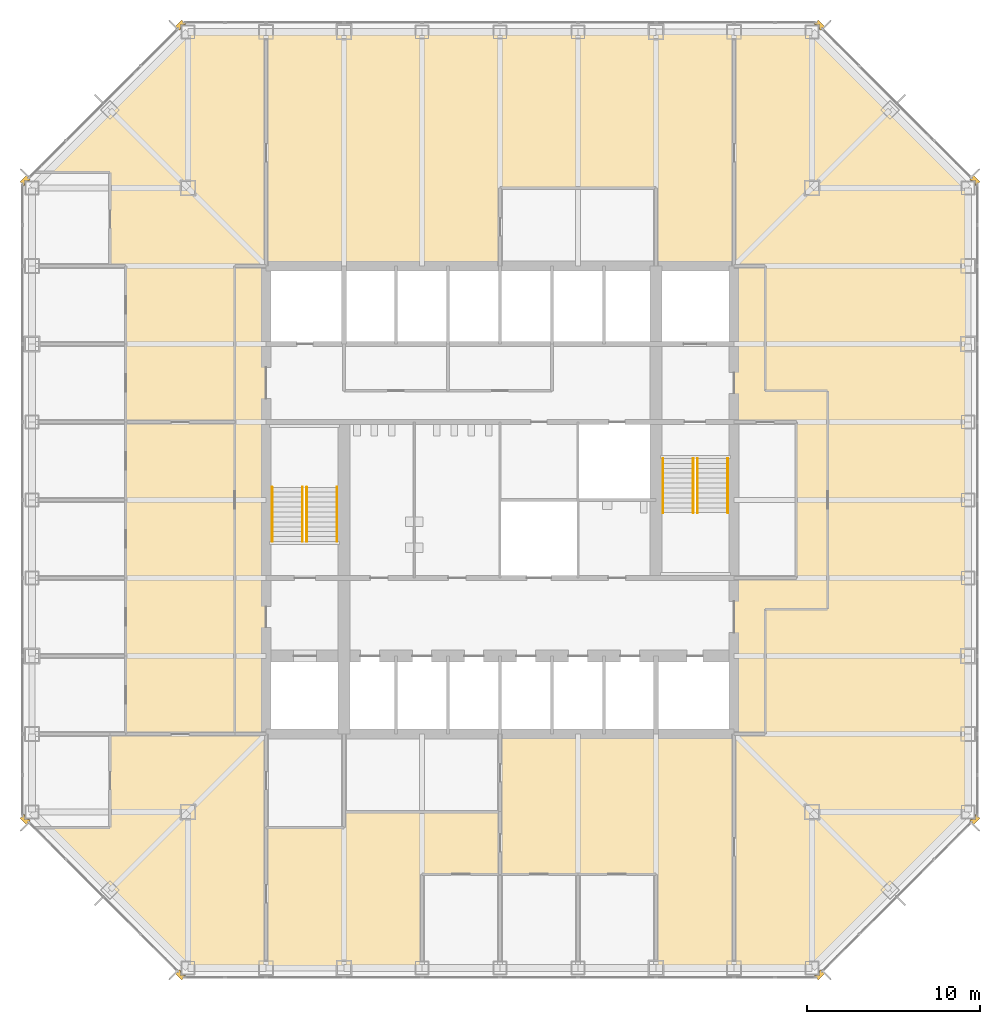
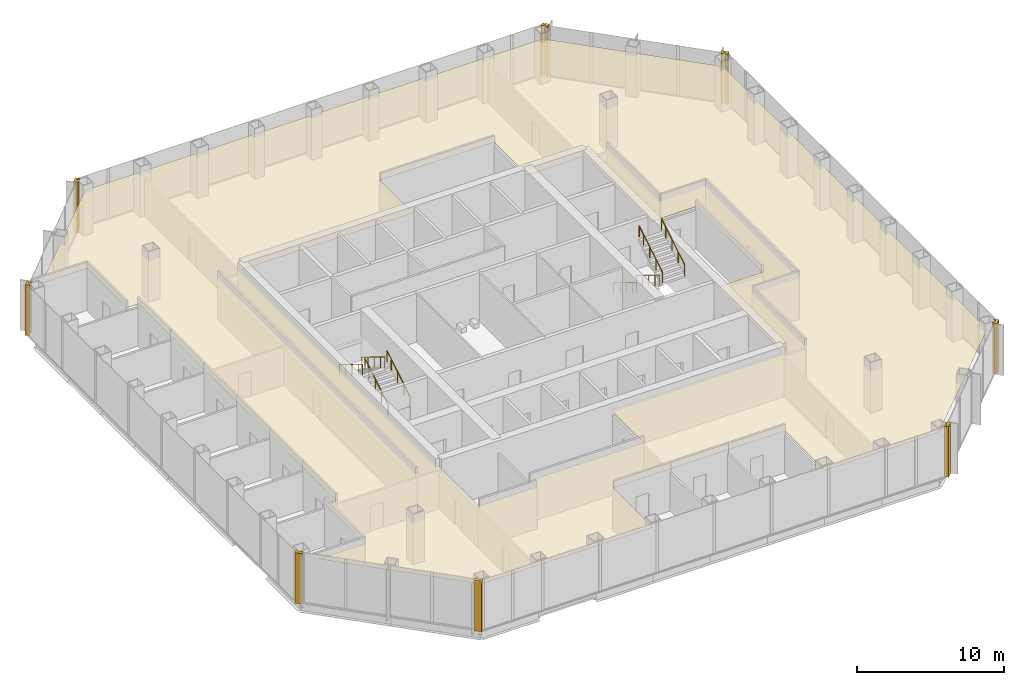
# One storey, part 12 of 13: 9 coverings, 8 railings.
"""IFC4 building model written with IfcOpenShell, lengths in metres."""

from ifc_helpers import new_model, si_unit, direction, frame, origin, origin_2d, place, context, subcontext, project, spatial, polyline, circle, outline, extrude, material, layer, layer_set, type_object, element, save


model = new_model("IFC4")

# Units and contexts
model_context = context("Model", 3, precision=1e-05, world=origin(), true_north=direction((0.0, 1.0)))
body_context = subcontext(model_context, "Body", "Model", "MODEL_VIEW")
ifc_project = project(units=[si_unit("LENGTHUNIT", "METRE"), si_unit("AREAUNIT", "SQUARE_METRE"), si_unit("VOLUMEUNIT", "CUBIC_METRE"), si_unit("PLANEANGLEUNIT", "RADIAN"), si_unit("MASSUNIT", "GRAM", prefix="KILO")], contexts=[model_context])

# Site, building, storey
site_placement = place(None, origin())
site = spatial("IfcSite", under=ifc_project, at=site_placement, CompositionType="ELEMENT")
building_placement = place(site_placement, origin())
building = spatial("IfcBuilding", under=site, at=building_placement, Name="Corais Broadcast Tower", CompositionType="ELEMENT")
storey_placement = place(building_placement, frame((0.0, 0.0, 87.800048828125)))
storey = spatial("IfcBuildingStorey", under=building, at=storey_placement, Name="L19", CompositionType="ELEMENT", Elevation=87.800048828125)

# Railings
ifc_material_1 = material(Name="Stainless steel handrail", Category="steel")
railing_type = type_object("IfcRailingType", Name="Handrail 920", PredefinedType="HANDRAIL", material=ifc_material_1)
for number, where, name in (
    (1, (17.60009765625, 24.60009765625, 0.175048828125), "HR1 L19"),
    (2, (15.85009765625, 24.60009765625, 0.175048828125), "HR1 L19"),
):
    element("IfcRailing", number, at=place(storey_placement, frame(where)), inside=storey, type_object=railing_type, Name=name, PredefinedType="HANDRAIL", context=body_context, shape_type="SweptSolid", body=[
        extrude(circle(Radius=0.02392578125, at=origin_2d()), frame((0.0, 0.0, 0.89599609375), z_axis=(0.0, 0.852195625947, 0.523223293744), x_axis=(-1.0, 0.0, 0.0)), (0.0, 0.0, 1.0), 3.6787109375),
        extrude(circle(Radius=0.02099609375, at=origin_2d()), origin(), (0.0, 0.0, 1.0), 0.871826171875),
        extrude(circle(Radius=0.02099609375, at=origin_2d()), frame((0.0, 0.85498046875, 0.52490234375)), (0.0, 0.0, 1.0), 0.871826171875),
        extrude(circle(Radius=0.02099609375, at=origin_2d()), frame((0.0, 1.7099609375, 1.0498046875)), (0.0, 0.0, 1.0), 0.871826171875),
        extrude(circle(Radius=0.02099609375, at=origin_2d()), frame((0.0, 2.56494140625, 1.574951171875)), (0.0, 0.0, 1.0), 0.871826171875),
        extrude(circle(Radius=0.02099609375, at=origin_2d()), frame((0.0, 3.135009765625, 1.9248046875)), (0.0, 0.0, 1.0), 0.871826171875),
    ])
for number, where, name in (
    (3, (13.85009765625, 27.735107421875, 2.27490234375), "HR1 L19"),
    (4, (15.60009765625, 27.735107421875, 2.27490234375), "HR1 L19"),
):
    element("IfcRailing", number, at=place(storey_placement, frame(where)), inside=storey, type_object=railing_type, Name=name, PredefinedType="HANDRAIL", context=body_context, shape_type="SweptSolid", body=[
        extrude(circle(Radius=0.02392578125, at=origin_2d()), frame((0.0, 0.0, 0.89599609375), z_axis=(0.0, -0.852166034122, 0.523271488128), x_axis=(1.0, 0.0, 0.0)), (0.0, 0.0, 1.0), 3.678955078125),
        extrude(circle(Radius=0.02099609375, at=origin_2d()), origin(), (0.0, 0.0, 1.0), 0.871826171875),
        extrude(circle(Radius=0.02099609375, at=origin_2d()), frame((0.0, -0.85498046875, 0.52490234375)), (0.0, 0.0, 1.0), 0.871826171875),
        extrude(circle(Radius=0.02099609375, at=origin_2d()), frame((0.0, -1.7099609375, 1.050048828125)), (0.0, 0.0, 1.0), 0.871826171875),
        extrude(circle(Radius=0.02099609375, at=origin_2d()), frame((0.0, -2.56494140625, 1.574951171875)), (0.0, 0.0, 1.0), 0.871826171875),
        extrude(circle(Radius=0.02099609375, at=origin_2d()), frame((0.0, -3.135009765625, 1.925048828125)), (0.0, 0.0, 1.0), 0.871826171875),
    ])
for number, where, name in (
    (5, (36.39990234375, 29.39990234375, 0.175048828125), "HR1 L19"),
    (6, (38.14990234375, 29.39990234375, 0.175048828125), "HR1 L19"),
):
    element("IfcRailing", number, at=place(storey_placement, frame(where)), inside=storey, type_object=railing_type, Name=name, PredefinedType="HANDRAIL", context=body_context, shape_type="SweptSolid", body=[
        extrude(circle(Radius=0.02392578125, at=origin_2d()), frame((0.0, 0.0, 0.89599609375), z_axis=(0.0, -0.852195625947, 0.523223293744), x_axis=(1.0, 0.0, 0.0)), (0.0, 0.0, 1.0), 3.6787109375),
        extrude(circle(Radius=0.02099609375, at=origin_2d()), origin(), (0.0, 0.0, 1.0), 0.871826171875),
        extrude(circle(Radius=0.02099609375, at=origin_2d()), frame((0.0, -0.85498046875, 0.52490234375)), (0.0, 0.0, 1.0), 0.871826171875),
        extrude(circle(Radius=0.02099609375, at=origin_2d()), frame((0.0, -1.7099609375, 1.0498046875)), (0.0, 0.0, 1.0), 0.871826171875),
        extrude(circle(Radius=0.02099609375, at=origin_2d()), frame((0.0, -2.56494140625, 1.574951171875)), (0.0, 0.0, 1.0), 0.871826171875),
        extrude(circle(Radius=0.02099609375, at=origin_2d()), frame((0.0, -3.135009765625, 1.9248046875)), (0.0, 0.0, 1.0), 0.871826171875),
    ])
for number, where, name in (
    (7, (40.14990234375, 26.264892578125, 2.27490234375), "HR1 L19"),
    (8, (38.39990234375, 26.264892578125, 2.27490234375), "HR1 L19"),
):
    element("IfcRailing", number, at=place(storey_placement, frame(where)), inside=storey, type_object=railing_type, Name=name, PredefinedType="HANDRAIL", context=body_context, shape_type="SweptSolid", body=[
        extrude(circle(Radius=0.02392578125, at=origin_2d()), frame((0.0, 0.0, 0.89599609375), z_axis=(0.0, 0.852166034122, 0.523271488128), x_axis=(-1.0, 0.0, 0.0)), (0.0, 0.0, 1.0), 3.678955078125),
        extrude(circle(Radius=0.02099609375, at=origin_2d()), origin(), (0.0, 0.0, 1.0), 0.871826171875),
        extrude(circle(Radius=0.02099609375, at=origin_2d()), frame((0.0, 0.85498046875, 0.52490234375)), (0.0, 0.0, 1.0), 0.871826171875),
        extrude(circle(Radius=0.02099609375, at=origin_2d()), frame((0.0, 1.7099609375, 1.050048828125)), (0.0, 0.0, 1.0), 0.871826171875),
        extrude(circle(Radius=0.02099609375, at=origin_2d()), frame((0.0, 2.56494140625, 1.574951171875)), (0.0, 0.0, 1.0), 0.871826171875),
        extrude(circle(Radius=0.02099609375, at=origin_2d()), frame((0.0, 3.135009765625, 1.925048828125)), (0.0, 0.0, 1.0), 0.871826171875),
    ])

# Coverings
ifc_material_2 = material(Name="Granite stone cladding", Category="masonry")
ifc_layer_1 = layer(ifc_material_2, 0.324951171875)
ifc_layer_set_1 = layer_set([ifc_layer_1], Name="Granite stone cladding")
covering_type_1 = type_object("IfcCoveringType", Name="Stone corner pier cladding 500x325", PredefinedType="CLADDING", material=ifc_layer_set_1)
covering_1_placement = place(storey_placement, origin())
element("IfcCovering", 9, at=covering_1_placement, inside=storey, type_object=covering_type_1, Name="SP1 stone corner pier L19", PredefinedType="CLADDING", context=body_context, shape_type="SweptSolid", body=[
    extrude(outline(polyline([(8.860595703125, -0.461669921875), (8.823974609375, -0.425048828125), (8.574951171875, -0.425048828125), (8.574951171875, -0.176025390625), (8.507080078125, -0.108154296875), (8.277099609375, -0.337890625), (8.630859375, -0.69140625), (8.860595703125, -0.461669921875)])), origin(), (0.0, 0.0, 1.0), 4.199951171875),
])
covering_2_placement = place(storey_placement, origin())
element("IfcCovering", 10, at=covering_2_placement, inside=storey, type_object=covering_type_1, Name="SP1 stone corner pier L19", PredefinedType="CLADDING", context=body_context, shape_type="SweptSolid", body=[
    extrude(outline(polyline([(-0.425048828125, 8.823974609375), (-0.461669921875, 8.860595703125), (-0.69140625, 8.630859375), (-0.337890625, 8.277099609375), (-0.108154296875, 8.507080078125), (-0.176025390625, 8.574951171875), (-0.425048828125, 8.574951171875), (-0.425048828125, 8.823974609375)])), origin(), (0.0, 0.0, 1.0), 4.199951171875),
])
covering_3_placement = place(storey_placement, origin())
element("IfcCovering", 11, at=covering_3_placement, inside=storey, type_object=covering_type_1, Name="SP1 stone corner pier L19", PredefinedType="CLADDING", context=body_context, shape_type="SweptSolid", body=[
    extrude(outline(polyline([(-0.461669921875, 45.139404296875), (-0.425048828125, 45.176025390625), (-0.425048828125, 45.425048828125), (-0.176025390625, 45.425048828125), (-0.108154296875, 45.492919921875), (-0.337890625, 45.722900390625), (-0.69140625, 45.369140625), (-0.461669921875, 45.139404296875)])), origin(), (0.0, 0.0, 1.0), 4.199951171875),
])
covering_4_placement = place(storey_placement, origin())
element("IfcCovering", 12, at=covering_4_placement, inside=storey, type_object=covering_type_1, Name="SP1 stone corner pier L19", PredefinedType="CLADDING", context=body_context, shape_type="SweptSolid", body=[
    extrude(outline(polyline([(8.823974609375, 54.425048828125), (8.860595703125, 54.461669921875), (8.630859375, 54.69140625), (8.277099609375, 54.337890625), (8.507080078125, 54.108154296875), (8.574951171875, 54.176025390625), (8.574951171875, 54.425048828125), (8.823974609375, 54.425048828125)])), origin(), (0.0, 0.0, 1.0), 4.199951171875),
])
covering_5_placement = place(storey_placement, origin())
element("IfcCovering", 13, at=covering_5_placement, inside=storey, type_object=covering_type_1, Name="SP1 stone corner pier L19", PredefinedType="CLADDING", context=body_context, shape_type="SweptSolid", body=[
    extrude(outline(polyline([(45.139404296875, 54.461669921875), (45.176025390625, 54.425048828125), (45.425048828125, 54.425048828125), (45.425048828125, 54.176025390625), (45.492919921875, 54.108154296875), (45.722900390625, 54.337890625), (45.369140625, 54.69140625), (45.139404296875, 54.461669921875)])), origin(), (0.0, 0.0, 1.0), 4.199951171875),
])
covering_6_placement = place(storey_placement, origin())
element("IfcCovering", 14, at=covering_6_placement, inside=storey, type_object=covering_type_1, Name="SP1 stone corner pier L19", PredefinedType="CLADDING", context=body_context, shape_type="SweptSolid", body=[
    extrude(outline(polyline([(54.425048828125, 45.176025390625), (54.461669921875, 45.139404296875), (54.69140625, 45.369140625), (54.337890625, 45.722900390625), (54.108154296875, 45.492919921875), (54.176025390625, 45.425048828125), (54.425048828125, 45.425048828125), (54.425048828125, 45.176025390625)])), origin(), (0.0, 0.0, 1.0), 4.199951171875),
])
covering_7_placement = place(storey_placement, origin())
element("IfcCovering", 15, at=covering_7_placement, inside=storey, type_object=covering_type_1, Name="SP1 stone corner pier L19", PredefinedType="CLADDING", context=body_context, shape_type="SweptSolid", body=[
    extrude(outline(polyline([(54.461669921875, 8.860595703125), (54.425048828125, 8.823974609375), (54.425048828125, 8.574951171875), (54.176025390625, 8.574951171875), (54.108154296875, 8.507080078125), (54.337890625, 8.277099609375), (54.69140625, 8.630859375), (54.461669921875, 8.860595703125)])), origin(), (0.0, 0.0, 1.0), 4.199951171875),
])
covering_8_placement = place(storey_placement, origin())
element("IfcCovering", 16, at=covering_8_placement, inside=storey, type_object=covering_type_1, Name="SP1 stone corner pier L19", PredefinedType="CLADDING", context=body_context, shape_type="SweptSolid", body=[
    extrude(outline(polyline([(45.176025390625, -0.425048828125), (45.139404296875, -0.461669921875), (45.369140625, -0.69140625), (45.722900390625, -0.337890625), (45.492919921875, -0.108154296875), (45.425048828125, -0.176025390625), (45.425048828125, -0.425048828125), (45.176025390625, -0.425048828125)])), origin(), (0.0, 0.0, 1.0), 4.199951171875),
])
ifc_material_3 = material(Name="Mineral fibre ceiling tile", Category="mineral")
ifc_layer_2 = layer(ifc_material_3, 0.02001953125)
ifc_layer_set_2 = layer_set([ifc_layer_2], Name="Mineral fibre ceiling tile")
covering_type_2 = type_object("IfcCoveringType", Name="Suspended ceiling", PredefinedType="CEILING", material=ifc_layer_set_2)
covering_9_placement = place(storey_placement, frame((0.0, 0.0, 3.419921875)))
element("IfcCovering", 17, at=covering_9_placement, inside=storey, type_object=covering_type_2, Name="CE1 ceiling L19", PredefinedType="CEILING", context=body_context, shape_type="SweptSolid", body=[
    extrude(outline(polyline([(9.0, 0.0), (0.89990234375, 8.10009765625), (4.5, 8.10009765625), (4.5, 13.5), (5.39990234375, 13.5), (5.39990234375, 40.5), (4.5, 40.5), (4.5, 45.89990234375), (0.89990234375, 45.89990234375), (9.0, 54.0), (45.0, 54.0), (54.0, 45.0), (54.0, 9.0), (45.0, 0.0), (36.0, 0.0), (36.0, 5.39990234375), (22.5, 5.39990234375), (22.5, 0.0), (9.0, 0.0)]), holes=[polyline([(13.5, 8.10009765625), (18.0, 8.10009765625), (18.0, 9.0), (27.0, 9.0), (27.0, 13.5), (40.5, 13.5), (40.5, 22.5), (44.10009765625, 22.5), (44.10009765625, 31.5), (40.5, 31.5), (40.5, 40.5), (36.0, 40.5), (36.0, 45.0), (27.0, 45.0), (27.0, 40.5), (13.5, 40.5), (13.5, 8.10009765625)])]), origin(), (0.0, 0.0, 1.0), 0.02001953125),
])

save(model, "model.ifc")
